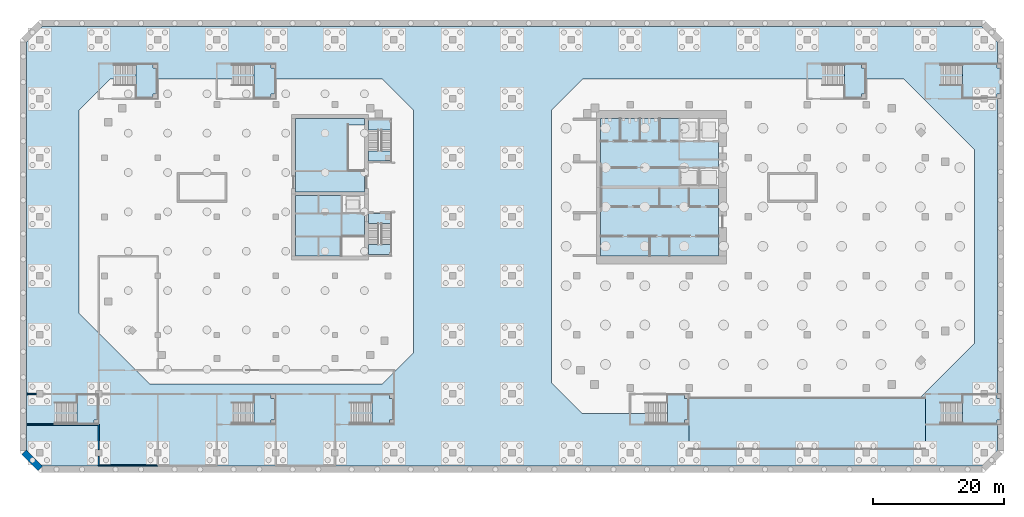
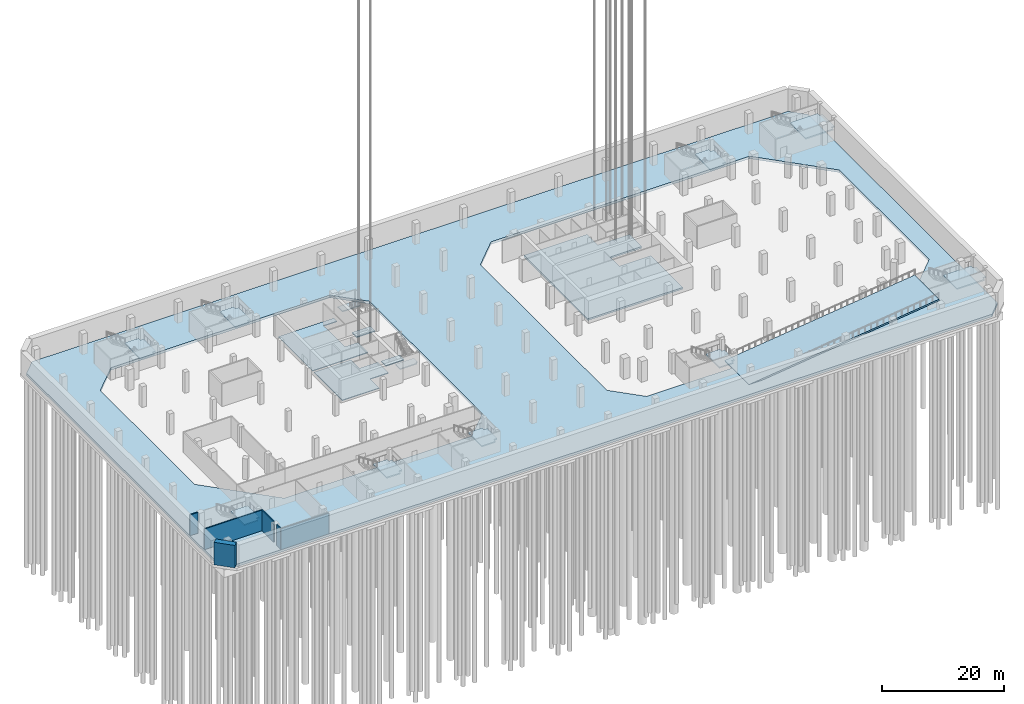
# One storey, part 16 of 30: 18 slabs, 6 walls, 11 elements without a shape of their own.
"""IFC4 building model written with IfcOpenShell, lengths in metres."""

from ifc_helpers import new_model, si_unit, direction, frame, frame_2d, origin, place, context, subcontext, project, spatial, polyline, rectangle, outline, extrude, material, layer, layer_set, type_object, element, aggregate, save


model = new_model("IFC4")

# Units and contexts
model_context = context("Model", 3, precision=1e-05, world=origin(), true_north=direction((0.0, 1.0)))
body_context = subcontext(model_context, "Body", "Model", "MODEL_VIEW")
ifc_project = project(units=[si_unit("LENGTHUNIT", "METRE"), si_unit("AREAUNIT", "SQUARE_METRE"), si_unit("VOLUMEUNIT", "CUBIC_METRE"), si_unit("PLANEANGLEUNIT", "RADIAN"), si_unit("MASSUNIT", "GRAM", prefix="KILO")], contexts=[model_context])

# Site, building, storey
site_placement = place(None, origin())
site = spatial("IfcSite", under=ifc_project, at=site_placement, CompositionType="ELEMENT")
building_placement = place(site_placement, origin())
building = spatial("IfcBuilding", under=site, at=building_placement, Name="Cinnabar Reach Civic Tower", CompositionType="ELEMENT")
storey_placement = place(building_placement, frame((0.0, 0.0, -14.0)))
storey = spatial("IfcBuildingStorey", under=building, at=storey_placement, Name="B3", CompositionType="ELEMENT", Elevation=-14.0)

# Slab
ifc_material_1 = material(Name="Concrete C40", Category="concrete")
ifc_layer_1 = layer(ifc_material_1, 0.5)
ifc_layer_set_1 = layer_set([ifc_layer_1], Name="Base slab 500")
slab_type_1 = type_object("IfcSlabType", Name="Base slab 500", PredefinedType="BASESLAB", material=ifc_layer_set_1)
slab_1_placement = place(storey_placement, frame((0.0, 0.0, -0.5)))
element("IfcSlab", 1, at=slab_1_placement, inside=storey, type_object=slab_type_1, Name="Base slab", PredefinedType="BASESLAB", context=body_context, shape_type="SweptSolid", body=[
    extrude(outline(polyline([(-83.0, -8.5858), (-83.0, 53.5858), (-80.5858, 56.0), (62.5858, 56.0), (65.0, 53.5858), (65.0, -8.5858), (62.5858, -11.0), (-80.5858, -11.0), (-83.0, -8.5858)]), holes=[polyline([(1.7574, -3.0), (50.7426, -3.0), (61.5, 7.7574), (61.5, 37.2426), (50.7426, 48.0), (1.7574, 48.0), (-3.0, 43.2426), (-3.0, 1.7574), (1.7574, -3.0)]), polyline([(-64.2426, 1.5), (-28.7574, 1.5), (-24.0, 6.2574), (-24.0, 43.2426), (-28.7574, 48.0), (-70.2426, 48.0), (-75.0, 43.2426), (-75.0, 12.2574), (-64.2426, 1.5)])]), origin(), (0.0, 0.0, 1.0), 0.5),
])

# Stair, slab
ifc_material_2 = material(Name="Concrete C35", Category="concrete")
stair_type_1 = type_object("IfcStairType", Name="Podium exit stair 1500", PredefinedType="HALF_TURN_STAIR", material=ifc_material_2)
stair_1_placement = place(storey_placement, origin())
stair_1 = element("IfcStair", 2, at=stair_1_placement, inside=storey, type_object=stair_type_1, Name="Stair PS1", PredefinedType="HALF_TURN_STAIR")
ifc_material_3 = material(Name="Concrete C35/45", Category="concrete")
ifc_layer_2 = layer(ifc_material_3, 0.25)
ifc_layer_set_2 = layer_set([ifc_layer_2], Name="Podium exit stair landing 250")
slab_type_2 = type_object("IfcSlabType", Name="Podium exit stair landing 250", PredefinedType="LANDING", material=ifc_layer_set_2)
slab_2_placement = place(storey_placement, frame((0.0, 0.0, 2.0)))
slab_2 = element("IfcSlab", 3, at=slab_2_placement, type_object=slab_type_2, Name="PS1 landing 1", PredefinedType="LANDING", context=body_context, shape_type="SweptSolid", body=[
    extrude(outline(polyline([(-75.33, -4.55), (-75.33, -0.1), (-72.1, -0.1), (-72.1, -3.95), (-72.7, -3.95), (-72.7, -4.55), (-75.33, -4.55)])), origin(), (0.0, 0.0, 1.0), 0.25),
])
aggregate(stair_1, [slab_2])

stair_2_placement = place(storey_placement, origin())
stair_2 = element("IfcStair", 4, at=stair_2_placement, inside=storey, type_object=stair_type_1, Name="Stair PS2", PredefinedType="HALF_TURN_STAIR")
slab_3_placement = place(storey_placement, frame((0.0, 0.0, 2.0)))
slab_3 = element("IfcSlab", 5, at=slab_3_placement, type_object=slab_type_2, Name="PS2 landing 1", PredefinedType="LANDING", context=body_context, shape_type="SweptSolid", body=[
    extrude(outline(polyline([(-63.1, 45.7), (-63.7, 45.7), (-63.7, 45.1), (-66.33, 45.1), (-66.33, 50.25), (-63.7, 50.25), (-63.7, 49.65), (-63.1, 49.65), (-63.1, 45.7)])), origin(), (0.0, 0.0, 1.0), 0.25),
])
aggregate(stair_2, [slab_3])

stair_3_placement = place(storey_placement, origin())
stair_3 = element("IfcStair", 6, at=stair_3_placement, inside=storey, type_object=stair_type_1, Name="Stair PS3", PredefinedType="HALF_TURN_STAIR")
slab_4_placement = place(storey_placement, frame((0.0, 0.0, 2.0)))
slab_4 = element("IfcSlab", 7, at=slab_4_placement, type_object=slab_type_2, Name="PS3 landing 1", PredefinedType="LANDING", context=body_context, shape_type="SweptSolid", body=[
    extrude(outline(polyline([(17.9, -3.95), (17.3, -3.95), (17.3, -4.55), (14.67, -4.55), (14.67, -0.1), (17.3, -0.1), (17.3, -0.7), (17.9, -0.7), (17.9, -3.95)])), origin(), (0.0, 0.0, 1.0), 0.25),
])
aggregate(stair_3, [slab_4])

stair_4_placement = place(storey_placement, origin())
stair_4 = element("IfcStair", 8, at=stair_4_placement, inside=storey, type_object=stair_type_1, Name="Stair PS4", PredefinedType="HALF_TURN_STAIR")
slab_5_placement = place(storey_placement, frame((0.0, 0.0, 2.0)))
slab_5 = element("IfcSlab", 9, at=slab_5_placement, type_object=slab_type_2, Name="PS4 landing 1", PredefinedType="LANDING", context=body_context, shape_type="SweptSolid", body=[
    extrude(outline(polyline([(65.5, -3.95), (64.9, -3.95), (64.9, -4.55), (59.67, -4.55), (59.67, -0.1), (64.9, -0.1), (64.9, -0.7), (65.5, -0.7), (65.5, -3.95)])), origin(), (0.0, 0.0, 1.0), 0.25),
])
aggregate(stair_4, [slab_5])

stair_5_placement = place(storey_placement, origin())
stair_5 = element("IfcStair", 10, at=stair_5_placement, inside=storey, type_object=stair_type_1, Name="Stair PS5", PredefinedType="HALF_TURN_STAIR")
slab_6_placement = place(storey_placement, frame((0.0, 0.0, 2.0)))
slab_6 = element("IfcSlab", 11, at=slab_6_placement, type_object=slab_type_2, Name="PS5 landing 1", PredefinedType="LANDING", context=body_context, shape_type="SweptSolid", body=[
    extrude(outline(polyline([(65.5, 45.7), (64.9, 45.7), (64.9, 45.1), (59.67, 45.1), (59.67, 50.25), (64.9, 50.25), (64.9, 49.65), (65.5, 49.65), (65.5, 45.7)])), origin(), (0.0, 0.0, 1.0), 0.25),
])
aggregate(stair_5, [slab_6])

stair_6_placement = place(storey_placement, origin())
stair_6 = element("IfcStair", 12, at=stair_6_placement, inside=storey, type_object=stair_type_1, Name="Stair PS6", PredefinedType="HALF_TURN_STAIR")
slab_7_placement = place(storey_placement, frame((0.0, 0.0, 2.0)))
slab_7 = element("IfcSlab", 13, at=slab_7_placement, type_object=slab_type_2, Name="PS6 landing 1", PredefinedType="LANDING", context=body_context, shape_type="SweptSolid", body=[
    extrude(outline(polyline([(44.9, 45.7), (44.3, 45.7), (44.3, 45.1), (41.67, 45.1), (41.67, 50.25), (44.3, 50.25), (44.3, 49.65), (44.9, 49.65), (44.9, 45.7)])), origin(), (0.0, 0.0, 1.0), 0.25),
])
aggregate(stair_6, [slab_7])

stair_7_placement = place(storey_placement, origin())
stair_7 = element("IfcStair", 14, at=stair_7_placement, inside=storey, type_object=stair_type_1, Name="Stair PS7", PredefinedType="HALF_TURN_STAIR")
slab_8_placement = place(storey_placement, frame((0.0, 0.0, 2.0)))
slab_8 = element("IfcSlab", 15, at=slab_8_placement, type_object=slab_type_2, Name="PS7 landing 1", PredefinedType="LANDING", context=body_context, shape_type="SweptSolid", body=[
    extrude(outline(polyline([(-45.1, 45.7), (-45.7, 45.7), (-45.7, 45.1), (-48.33, 45.1), (-48.33, 50.25), (-45.7, 50.25), (-45.7, 49.65), (-45.1, 49.65), (-45.1, 45.7)])), origin(), (0.0, 0.0, 1.0), 0.25),
])
aggregate(stair_7, [slab_8])

stair_8_placement = place(storey_placement, origin())
stair_8 = element("IfcStair", 16, at=stair_8_placement, inside=storey, type_object=stair_type_1, Name="Stair PS8", PredefinedType="HALF_TURN_STAIR")
slab_9_placement = place(storey_placement, frame((0.0, 0.0, 2.0)))
slab_9 = element("IfcSlab", 17, at=slab_9_placement, type_object=slab_type_2, Name="PS8 landing 1", PredefinedType="LANDING", context=body_context, shape_type="SweptSolid", body=[
    extrude(outline(polyline([(-45.1, -3.95), (-45.7, -3.95), (-45.7, -4.55), (-48.33, -4.55), (-48.33, -0.1), (-45.7, -0.1), (-45.7, -0.7), (-45.1, -0.7), (-45.1, -3.95)])), origin(), (0.0, 0.0, 1.0), 0.25),
])
aggregate(stair_8, [slab_9])

stair_9_placement = place(storey_placement, origin())
stair_9 = element("IfcStair", 18, at=stair_9_placement, inside=storey, type_object=stair_type_1, Name="Stair PS9", PredefinedType="HALF_TURN_STAIR")
slab_10_placement = place(storey_placement, frame((0.0, 0.0, 2.0)))
slab_10 = element("IfcSlab", 19, at=slab_10_placement, type_object=slab_type_2, Name="PS9 landing 1", PredefinedType="LANDING", context=body_context, shape_type="SweptSolid", body=[
    extrude(outline(polyline([(-27.1, -3.95), (-27.7, -3.95), (-27.7, -4.55), (-30.33, -4.55), (-30.33, -0.1), (-27.7, -0.1), (-27.7, -0.7), (-27.1, -0.7), (-27.1, -3.95)])), origin(), (0.0, 0.0, 1.0), 0.25),
])
aggregate(stair_9, [slab_10])

# Slabs
ifc_layer_3 = layer(ifc_material_2, 0.3)
ifc_layer_set_3 = layer_set([ifc_layer_3], Name="Podium vehicle ramp slab 300 C35")
slab_type_3 = type_object("IfcSlabType", Name="Podium vehicle ramp slab 300 C35", PredefinedType="USERDEFINED", material=ifc_layer_set_3)
slab_11_placement = place(storey_placement, frame((18.0, -8.5, 0.0), z_axis=(-0.124034734589, 0.0, 0.992277876714), x_axis=(0.0, 1.0, 0.0)))
element("IfcSlab", 20, at=slab_11_placement, inside=storey, type_object=slab_type_3, Name="Vehicle ramp R1 slab", ObjectType="RAMP SLAB", PredefinedType="USERDEFINED", context=body_context, shape_type="SweptSolid", body=[
    extrude(outline(polyline([(0.0, 0.0), (8.0, 0.0), (8.0, -36.28015986734348), (0.0, -36.28015986734348), (0.0, 0.0)])), origin(), (0.0, 0.0, -1.0), 0.3),
])
ifc_material_4 = material(Name="Concrete C40/50", Category="concrete")
ifc_layer_4 = layer(ifc_material_4, 0.35)
ifc_layer_set_4 = layer_set([ifc_layer_4], Name="T1 core floor slab 350")
slab_type_4 = type_object("IfcSlabType", Name="T1 core floor slab 350", PredefinedType="FLOOR", material=ifc_layer_set_4)
slab_12_placement = place(storey_placement, frame((0.0, 0.0, -0.35)))
element("IfcSlab", 21, at=slab_12_placement, inside=storey, type_object=slab_type_4, Name="Core floor slab B3", PredefinedType="FLOOR", context=body_context, shape_type="SweptSolid", body=[
    extrude(outline(polyline([(22.5, 21.0), (4.5, 21.0), (4.5, 42.0), (16.5, 42.0), (16.5, 38.5), (19.5, 38.5), (22.5, 38.5), (22.5, 34.5), (19.5, 34.5), (16.5, 34.5), (16.5, 31.5), (19.5, 31.5), (22.5, 31.5), (22.5, 21.0)])), origin(), (0.0, 0.0, 1.0), 0.35),
])
ifc_layer_5 = layer(ifc_material_1, 0.15)
ifc_layer_set_5 = layer_set([ifc_layer_5], Name="T2 Core floor slab 150")
slab_type_5 = type_object("IfcSlabType", Name="T2 Core floor slab 150", PredefinedType="FLOOR", material=ifc_layer_set_5)
slab_13_placement = place(storey_placement, frame((0.0, 0.0, -0.15)))
element("IfcSlab", 22, at=slab_13_placement, inside=storey, type_object=slab_type_5, Name="Core floor slab B3", PredefinedType="FLOOR", context=body_context, shape_type="SweptSolid", body=[
    extrude(outline(polyline([(-42.0, 42.0), (-31.5, 42.0), (-31.5, 41.0), (-34.0, 41.0), (-34.0, 34.0), (-31.5, 34.0), (-31.5, 30.75), (-42.0, 30.75), (-42.0, 42.0)])), origin(), (0.0, 0.0, 1.0), 0.15),
])
slab_14_placement = place(storey_placement, frame((0.0, 0.0, -0.15)))
element("IfcSlab", 23, at=slab_14_placement, inside=storey, type_object=slab_type_5, Name="Core floor slab B3", PredefinedType="FLOOR", context=body_context, shape_type="SweptSolid", body=[
    extrude(outline(polyline([(-35.0, 24.0), (-35.0, 21.0), (-42.0, 21.0), (-42.0, 30.25), (-35.0, 30.25), (-35.0, 27.5), (-31.5, 27.5), (-31.5, 24.0), (-35.0, 24.0)])), origin(), (0.0, 0.0, 1.0), 0.15),
])

# Stair, slabs
stair_type_2 = type_object("IfcStairType", Name="T2 Exit stair 1500", PredefinedType="HALF_TURN_STAIR", material=ifc_material_1)
stair_10_placement = place(storey_placement, origin())
stair_10 = element("IfcStair", 24, at=stair_10_placement, inside=storey, type_object=stair_type_2, Name="Exit stair 1", PredefinedType="HALF_TURN_STAIR")
ifc_layer_6 = layer(ifc_material_1, 0.2)
ifc_layer_set_6 = layer_set([ifc_layer_6], Name="T2 Stair landing 200")
slab_type_6 = type_object("IfcSlabType", Name="T2 Stair landing 200", PredefinedType="LANDING", material=ifc_layer_set_6)
slab_15_placement = place(storey_placement, frame((0.0, 0.0, -0.2)))
slab_15 = element("IfcSlab", 25, at=slab_15_placement, type_object=slab_type_6, Name="ST1 landing 1", PredefinedType="LANDING", context=body_context, shape_type="SweptSolid", body=[
    extrude(outline(polyline([(-30.9, 26.0), (-30.9, 27.5), (-27.4, 27.5), (-27.4, 26.0), (-30.9, 26.0)])), origin(), (0.0, 0.0, 1.0), 0.2),
])
slab_16_placement = place(storey_placement, frame((0.0, 0.0, 2.05)))
slab_16 = element("IfcSlab", 26, at=slab_16_placement, type_object=slab_type_6, Name="ST1 landing 2", PredefinedType="LANDING", context=body_context, shape_type="SweptSolid", body=[
    extrude(outline(polyline([(-30.9, 21.25), (-30.9, 22.75), (-27.4, 22.75), (-27.4, 21.55), (-27.7, 21.55), (-27.7, 21.25), (-30.9, 21.25)])), origin(), (0.0, 0.0, 1.0), 0.2),
])
aggregate(stair_10, [slab_15, slab_16])

stair_11_placement = place(storey_placement, origin())
stair_11 = element("IfcStair", 27, at=stair_11_placement, inside=storey, type_object=stair_type_2, Name="Exit stair 2", PredefinedType="HALF_TURN_STAIR")
slab_17_placement = place(storey_placement, frame((0.0, 0.0, -0.2)))
slab_17 = element("IfcSlab", 28, at=slab_17_placement, type_object=slab_type_6, Name="ST2 landing 1", PredefinedType="LANDING", context=body_context, shape_type="SweptSolid", body=[
    extrude(outline(polyline([(-30.9, 35.5), (-30.9, 37.0), (-27.4, 37.0), (-27.4, 35.5), (-30.9, 35.5)])), origin(), (0.0, 0.0, 1.0), 0.2),
])
slab_18_placement = place(storey_placement, frame((0.0, 0.0, 2.05)))
slab_18 = element("IfcSlab", 29, at=slab_18_placement, type_object=slab_type_6, Name="ST2 landing 2", PredefinedType="LANDING", context=body_context, shape_type="SweptSolid", body=[
    extrude(outline(polyline([(-27.4, 40.25), (-30.9, 40.25), (-30.9, 41.75), (-27.7, 41.75), (-27.7, 41.45), (-27.4, 41.45), (-27.4, 40.25)])), origin(), (0.0, 0.0, 1.0), 0.2),
])
aggregate(stair_11, [slab_17, slab_18])

# Walls
ifc_material_5 = material(Name="Concrete C70", Category="concrete")
ifc_layer_7 = layer(ifc_material_5, 1.0)
ifc_layer_set_7 = layer_set([ifc_layer_7], Name="Basement wall 1000 EI 180")
wall_type_1 = type_object("IfcWallType", Name="Basement wall 1000 EI 180", PredefinedType="SOLIDWALL", material=ifc_layer_set_7)
wall_1_placement = place(storey_placement, frame((-80.9004, -11.3924, 0.0), z_axis=(0.0, 0.0, 1.0), x_axis=(-0.707106781187, 0.707106781187, 0.0)))
element("IfcWall", 30, at=wall_1_placement, inside=storey, type_object=wall_type_1, Name="Basement wall B3 1", PredefinedType="SOLIDWALL", context=body_context, shape_type="SweptSolid", body=[
    extrude(rectangle(XDim=3.5242, YDim=1.0, at=frame_2d((1.7621, 0.0))), origin(), (0.0, 0.0, 1.0), 4.5),
])
ifc_material_6 = material(Name="Concrete blockwork", Category="masonry")
ifc_layer_8 = layer(ifc_material_6, 0.2)
ifc_layer_set_8 = layer_set([ifc_layer_8], Name="Podium masonry corridor wall 200 EI 120")
wall_type_2 = type_object("IfcWallType", Name="Podium masonry corridor wall 200 EI 120", PredefinedType="PARTITIONING", material=ifc_layer_set_8)
wall_2_placement = place(storey_placement, frame((-72.1, -10.9, 0.0), z_axis=(0.0, 0.0, 1.0), x_axis=(1.0, 0.0, 0.0)))
element("IfcWall", 31, at=wall_2_placement, inside=storey, type_object=wall_type_2, Name="Wall B3 46", PredefinedType="PARTITIONING", context=body_context, shape_type="SweptSolid", body=[
    extrude(rectangle(XDim=9.1, YDim=0.2, at=frame_2d((4.55, 0.0))), origin(), (0.0, 0.0, 1.0), 4.15),
])
wall_3_placement = place(storey_placement, frame((-72.0, -10.9, 0.0), z_axis=(0.0, 0.0, 1.0), x_axis=(0.0, 1.0, 0.0)))
element("IfcWall", 32, at=wall_3_placement, inside=storey, type_object=wall_type_2, Name="Wall B3 47", PredefinedType="PARTITIONING", context=body_context, shape_type="SweptSolid", body=[
    extrude(rectangle(XDim=1.38, YDim=0.2, at=frame_2d((0.69, 0.0))), origin(), (0.0, 0.0, 1.0), 4.15),
])
wall_4_placement = place(storey_placement, frame((-72.0, -8.48, 0.0), z_axis=(0.0, 0.0, 1.0), x_axis=(0.0, 1.0, 0.0)))
element("IfcWall", 33, at=wall_4_placement, inside=storey, type_object=wall_type_2, Name="Wall B3 48", PredefinedType="PARTITIONING", context=body_context, shape_type="SweptSolid", body=[
    extrude(rectangle(XDim=3.83, YDim=0.2, at=frame_2d((1.915, 0.0))), origin(), (0.0, 0.0, 1.0), 4.15),
])
ifc_layer_9 = layer(ifc_material_1, 0.2)
ifc_layer_set_9 = layer_set([ifc_layer_9], Name="Podium stair shaft wall 200 EI 120")
wall_type_3 = type_object("IfcWallType", Name="Podium stair shaft wall 200 EI 120", PredefinedType="SOLIDWALL", material=ifc_layer_set_9)
wall_5_placement = place(storey_placement, frame((-83.0, -4.65, 0.0), z_axis=(0.0, 0.0, 1.0), x_axis=(1.0, 0.0, 0.0)))
element("IfcWall", 34, at=wall_5_placement, inside=storey, type_object=wall_type_3, Name="Wall B3 2", PredefinedType="SOLIDWALL", context=body_context, shape_type="SweptSolid", body=[
    extrude(rectangle(XDim=10.9, YDim=0.2, at=frame_2d((5.45, 0.0))), origin(), (0.0, 0.0, 1.0), 4.15),
])
wall_6_placement = place(storey_placement, frame((-83.0, 0.0, 0.0), z_axis=(0.0, 0.0, 1.0), x_axis=(1.0, 0.0, 0.0)))
element("IfcWall", 35, at=wall_6_placement, inside=storey, type_object=wall_type_3, Name="Wall B3 3", PredefinedType="SOLIDWALL", context=body_context, shape_type="SweptSolid", body=[
    extrude(rectangle(XDim=1.48, YDim=0.2, at=frame_2d((0.74, 0.0))), origin(), (0.0, 0.0, 1.0), 4.15),
])

save(model, "model.ifc")
